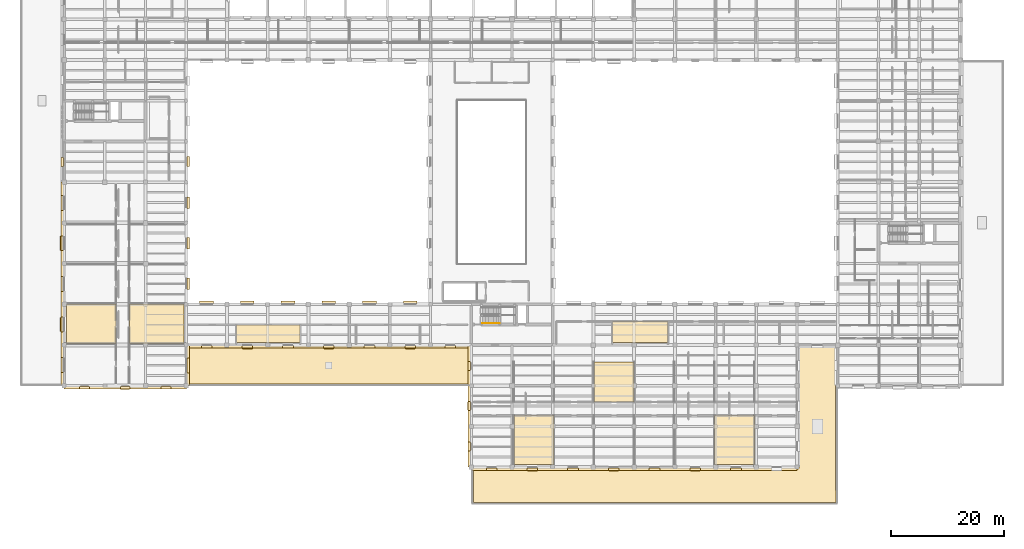
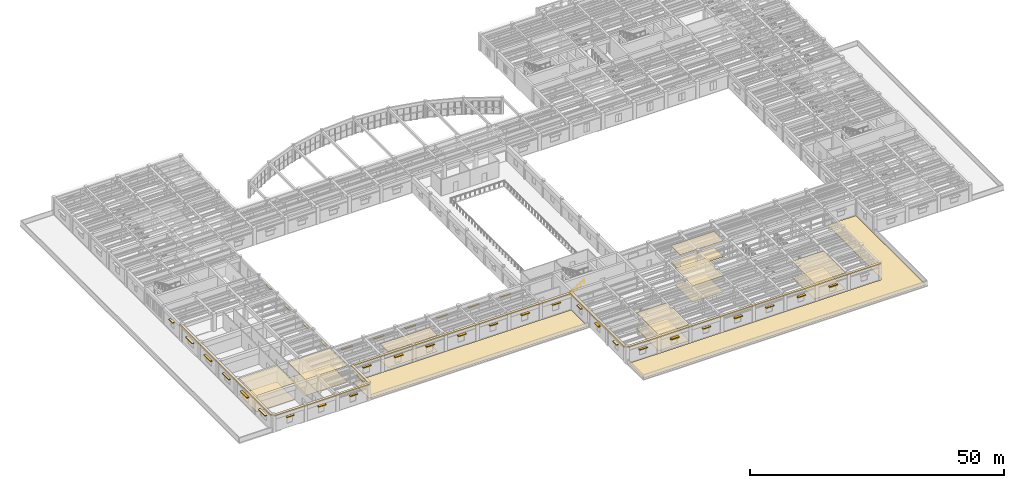
# One storey, part 66 of 76: 59 coverings, 10 shading devices, 1 railing.
"""IFC4 building model written with IfcOpenShell, lengths in metres."""

import ifcopenshell
import ifcopenshell.guid

model = None  # the IFC model being written
_history = None  # IfcOwnerHistory: only IFC2X3 demands one
_inside = {}  # id of a spatial element -> (the spatial element, [elements in it])
_under = {}  # id of a project, library or spatial element -> (it, [spatial elements below it])
_declared = {}  # id of a project -> (the project, [libraries it declares])
_typed = {}  # id of a type object -> (the type object, [elements of that type])
_made_of = {}  # id of a material, layer set ... -> (it, [elements and type objects made of it])


def new_model(schema):
    """Start an empty IFC model of exactly this schema.

    Asked for "IFC4X3", IfcOpenShell would pick the latest addendum, in which some entities
    have other attributes; the version numbers below select the first issue.
    IFC2X3 requires an IfcOwnerHistory on every rooted entity: one is made here for all.
    """
    global model, _history
    if schema == "IFC4X3":
        model = ifcopenshell.file(schema_version=(4, 3, 0, 0))
    else:
        model = ifcopenshell.file(schema=schema)
    _inside.clear()
    _under.clear()
    _declared.clear()
    _typed.clear()
    _made_of.clear()
    _history = None
    if model.schema == "IFC2X3":
        org = make("IfcOrganization", Name="unknown")
        user = make(
            "IfcPersonAndOrganization",
            ThePerson=make("IfcPerson", FamilyName="unknown"),
            TheOrganization=org,
        )
        app = make(
            "IfcApplication",
            ApplicationDeveloper=org,
            Version="unknown",
            ApplicationFullName="unknown",
            ApplicationIdentifier="unknown",
        )
        _history = make(
            "IfcOwnerHistory",
            OwningUser=user,
            OwningApplication=app,
            ChangeAction="ADDED",
            CreationDate=0,
        )
    return model


def make(cls, **values):
    """One entity of the class cls with the attributes given. An attribute that is None is left unset."""
    return model.create_entity(
        cls, **{name: value for name, value in values.items() if value is not None}
    )


def rooted(cls, **values):
    """An entity with a GlobalId (a new one), such as an element, a storey or a relation."""
    return make(cls, GlobalId=ifcopenshell.guid.new(), OwnerHistory=_history, **values)


def si_unit(unit_type, name, prefix=None):
    """IfcSIUnit, for example si_unit("LENGTHUNIT", "METRE", prefix="MILLI")."""
    return make("IfcSIUnit", UnitType=unit_type, Prefix=prefix, Name=name)


def assignment(units):
    """IfcUnitAssignment: the units of a project."""
    return None if units is None else make("IfcUnitAssignment", Units=units)


def point(xyz):
    """IfcCartesianPoint."""
    return None if xyz is None else make("IfcCartesianPoint", Coordinates=xyz)


def direction(xyz):
    """IfcDirection."""
    return None if xyz is None else make("IfcDirection", DirectionRatios=xyz)


def frame(location, z_axis=None, x_axis=None):
    """IfcAxis2Placement3D, a coordinate frame: its origin and axes. An axis left out is left unset."""
    return make(
        "IfcAxis2Placement3D",
        Location=point(location),
        Axis=direction(z_axis),
        RefDirection=direction(x_axis),
    )


def frame_2d(location, x_axis=None):
    """IfcAxis2Placement2D, a coordinate frame in the plane: its origin and x axis."""
    return make(
        "IfcAxis2Placement2D", Location=point(location), RefDirection=direction(x_axis)
    )


def origin():
    """The frame at (0, 0, 0) with its axes left unset."""
    return frame((0.0, 0.0, 0.0))


def origin_2d():
    """The frame at (0, 0) in the plane with its x axis left unset."""
    return frame_2d((0.0, 0.0))


def place(relative_to, where):
    """IfcLocalPlacement: puts the frame where relative to a parent placement (None: the world)."""
    return make(
        "IfcLocalPlacement", PlacementRelTo=relative_to, RelativePlacement=where
    )


def context(
    kind, dimensions, precision=None, world=None, true_north=None, identifier=None
):
    """IfcGeometricRepresentationContext, for example the 3D "Model" context."""
    return make(
        "IfcGeometricRepresentationContext",
        ContextIdentifier=identifier,
        ContextType=kind,
        CoordinateSpaceDimension=dimensions,
        Precision=precision,
        WorldCoordinateSystem=world,
        TrueNorth=true_north,
    )


def subcontext(parent, identifier, kind, view, scale=None):
    """IfcGeometricRepresentationSubContext, for example "Body" below "Model"."""
    return make(
        "IfcGeometricRepresentationSubContext",
        ContextIdentifier=identifier,
        ContextType=kind,
        ParentContext=parent,
        TargetScale=scale,
        TargetView=view,
    )


def project(units=None, contexts=None):
    """IfcProject with its units and contexts."""
    return rooted(
        "IfcProject",
        Name="project",
        RepresentationContexts=contexts,
        UnitsInContext=assignment(units),
    )


def spatial(cls, under=None, at=None, **own):
    """A site, building, storey or space (cls), placed at a placement, below another one or the project."""
    s = rooted(cls, ObjectPlacement=at, **own)
    if under is not None:
        _under.setdefault(under.id(), (under, []))[1].append(s)
    return s


def polyline(points):
    """IfcPolyline through the points."""
    return make("IfcPolyline", Points=[point(p) for p in points])


def profile(cls, at=None, kind="AREA", **sizes):
    """A parametric profile (cls). Its sizes go by their IFC names, for example OverallWidth=200.0."""
    return make(cls, ProfileType=kind, Position=at, **sizes)


def rectangle(**sizes):
    """IfcRectangleProfileDef."""
    return profile("IfcRectangleProfileDef", **sizes)


def circle(**sizes):
    """IfcCircleProfileDef."""
    return profile("IfcCircleProfileDef", **sizes)


def outline(outer, holes=None, kind="AREA"):
    """IfcArbitraryClosedProfileDef: a profile drawn as a closed curve; with holes, ...WithVoids."""
    if holes is None:
        return make("IfcArbitraryClosedProfileDef", ProfileType=kind, OuterCurve=outer)
    return make(
        "IfcArbitraryProfileDefWithVoids",
        ProfileType=kind,
        OuterCurve=outer,
        InnerCurves=holes,
    )


def extrude(swept, where, along, depth):
    """IfcExtrudedAreaSolid: the profile swept, set in the frame where, extruded along a direction by depth."""
    return make(
        "IfcExtrudedAreaSolid",
        SweptArea=swept,
        Position=where,
        ExtrudedDirection=direction(along),
        Depth=depth,
    )


def shape(context_of_items, identifier, shape_type, items):
    """IfcShapeRepresentation: the items that make up one representation, for example the "Body"."""
    return make(
        "IfcShapeRepresentation",
        ContextOfItems=context_of_items,
        RepresentationIdentifier=identifier,
        RepresentationType=shape_type,
        Items=items,
    )


def material(Name=None, Category=None):
    """IfcMaterial."""
    return make("IfcMaterial", Name=Name, Category=Category)


def layer(
    of_material, thickness, ventilated=None, Name=None, Category=None, Priority=None
):
    """IfcMaterialLayer: one layer of a wall or slab, of a material (None: an air gap)."""
    return make(
        "IfcMaterialLayer",
        Material=of_material,
        LayerThickness=thickness,
        IsVentilated=ventilated,
        Name=Name,
        Category=Category,
        Priority=Priority,
    )


def layer_set(layers, Name=None):
    """IfcMaterialLayerSet."""
    return make("IfcMaterialLayerSet", MaterialLayers=layers, LayerSetName=Name)


def made_of(thing, what):
    """Note that an element or type object is made of a material, layer set ...; save() writes the relation."""
    if what is not None:
        _made_of.setdefault(what.id(), (what, []))[1].append(thing)
    return thing


def type_object(cls, material=None, **own):
    """A type object (cls), such as IfcWallType, which elements share."""
    return made_of(rooted(cls, **own), material)


def element(
    cls,
    number,
    at=None,
    inside=None,
    cuts=None,
    type_object=None,
    material=None,
    context=None,
    identifier="Body",
    shape_type=None,
    held_by="IfcProductDefinitionShape",
    body=None,
    shapes=None,
    **own,
):
    """One element of the class cls, such as IfcWall. Its Tag is "e" and its number.

    at: its placement. inside: the storey or other place that contains it. cuts: it is an
    opening in that element (IfcRelVoidsElement). A single representation is given by context,
    identifier, shape_type and body (its items); several are given by shapes. held_by: the class
    of the entity that holds the representations. save() writes the other relations.
    """
    e = rooted(cls, Tag="e%d" % number, ObjectPlacement=at, **own)
    if body is not None:
        shapes = [shape(context, identifier, shape_type, body)]
    if shapes is not None:
        e.Representation = make(held_by, Representations=shapes)
    if inside is not None:
        _inside.setdefault(inside.id(), (inside, []))[1].append(e)
    if cuts is not None:
        rooted(
            "IfcRelVoidsElement", RelatingBuildingElement=cuts, RelatedOpeningElement=e
        )
    if type_object is not None:
        _typed.setdefault(type_object.id(), (type_object, []))[1].append(e)
    return made_of(e, material)


def aggregate(whole, parts):
    """IfcRelAggregates: a whole, such as a stair, and the parts it consists of."""
    return rooted("IfcRelAggregates", RelatingObject=whole, RelatedObjects=parts)


def save(model, path):
    """Write the relations noted so far, then the file.

    IfcRelAggregates (storeys below a building ...), IfcRelContainedInSpatialStructure (elements
    in a storey), IfcRelDefinesByType, IfcRelAssociatesMaterial and IfcRelDeclares: one each for
    every whole, place, type object, material and project.
    """
    for whole, parts in _under.values():
        aggregate(whole, parts)
    for where, things in _inside.values():
        rooted(
            "IfcRelContainedInSpatialStructure",
            RelatedElements=things,
            RelatingStructure=where,
        )
    for kind, things in _typed.values():
        rooted("IfcRelDefinesByType", RelatedObjects=things, RelatingType=kind)
    for what, things in _made_of.values():
        rooted("IfcRelAssociatesMaterial", RelatedObjects=things, RelatingMaterial=what)
    for by, libraries in _declared.values():
        rooted("IfcRelDeclares", RelatingContext=by, RelatedDefinitions=libraries)
    model.write(path)


model = new_model("IFC4")

# Units and contexts
model_context = context("Model", 3, precision=1e-05, world=origin(), true_north=direction((0.0, 1.0)))
body_context = subcontext(model_context, "Body", "Model", "MODEL_VIEW")
ifc_project = project(units=[si_unit("LENGTHUNIT", "METRE"), si_unit("AREAUNIT", "SQUARE_METRE"), si_unit("VOLUMEUNIT", "CUBIC_METRE"), si_unit("PLANEANGLEUNIT", "RADIAN"), si_unit("MASSUNIT", "GRAM", prefix="KILO")], contexts=[model_context])

# Site, building, storey
site_placement = place(None, origin())
site = spatial("IfcSite", under=ifc_project, at=site_placement, CompositionType="ELEMENT")
building_placement = place(site_placement, origin())
building = spatial("IfcBuilding", under=site, at=building_placement, Name="Mithqara Police Headquarters", CompositionType="ELEMENT")
storey_placement = place(building_placement, frame((0.0, 0.0, 5.39990234375)))
storey = spatial("IfcBuildingStorey", under=building, at=storey_placement, Name="L01", CompositionType="ELEMENT", Elevation=5.39990234375)

# Coverings
ifc_material_1 = material(Name="Acoustic mineral-fibre ceiling tile", Category="gypsum")
ifc_layer_1 = layer(ifc_material_1, 0.02490234375, Name="Acoustic mineral-fibre ceiling tile")
ifc_layer_set_1 = layer_set([ifc_layer_1], Name="Acoustic mineral-fibre ceiling tile")
covering_type_1 = type_object("IfcCoveringType", Name="ACOUSTIC CEILING TILE", PredefinedType="CEILING", material=ifc_layer_set_1)
covering_1_placement = place(storey_placement, frame((0.0, 0.0, 3.89501953125)))
element("IfcCovering", 1, at=covering_1_placement, inside=storey, type_object=covering_type_1, Name="Tactical De-Escalation Room Acoustic Ceiling", PredefinedType="CEILING", context=body_context, shape_type="SweptSolid", body=[
    extrude(outline(polyline([(8.239990234375, 28.471923828125), (16.9599609375, 28.471923828125), (16.9599609375, 35.464111328125), (8.239990234375, 35.464111328125), (8.239990234375, 28.471923828125)])), origin(), (0.0, 0.0, 1.0), 0.025146484375),
])
covering_2_placement = place(storey_placement, frame((0.0, 0.0, 3.89501953125)))
element("IfcCovering", 2, at=covering_2_placement, inside=storey, type_object=covering_type_1, Name="Officer Duty Rest Room Acoustic Ceiling", PredefinedType="CEILING", context=body_context, shape_type="SweptSolid", body=[
    extrude(outline(polyline([(19.340087890625, 28.471923828125), (28.9599609375, 28.471923828125), (28.9599609375, 35.464111328125), (19.340087890625, 35.464111328125), (19.340087890625, 28.471923828125)])), origin(), (0.0, 0.0, 1.0), 0.025146484375),
])
covering_3_placement = place(storey_placement, frame((0.0, 0.0, 3.89501953125)))
element("IfcCovering", 3, at=covering_3_placement, inside=storey, type_object=covering_type_1, Name="Family Protection Suite Acoustic Ceiling", PredefinedType="CEILING", context=body_context, shape_type="SweptSolid", body=[
    extrude(outline(polyline([(104.736083984375, 28.639892578125), (114.56201171875, 28.639892578125), (114.56201171875, 32.340087890625), (104.736083984375, 32.340087890625), (104.736083984375, 28.639892578125)])), origin(), (0.0, 0.0, 1.0), 0.025146484375),
])
covering_4_placement = place(storey_placement, frame((0.0, 0.0, 3.89501953125)))
element("IfcCovering", 4, at=covering_4_placement, inside=storey, type_object=covering_type_1, Name="Family Protection Suite Acoustic Ceiling", PredefinedType="CEILING", context=body_context, shape_type="SweptSolid", body=[
    extrude(outline(polyline([(38.256103515625, 28.639892578125), (49.531982421875, 28.639892578125), (49.531982421875, 31.760009765625), (38.256103515625, 31.760009765625), (38.256103515625, 28.639892578125)])), origin(), (0.0, 0.0, 1.0), 0.025146484375),
])
covering_5_placement = place(storey_placement, frame((0.0, 0.0, 3.89501953125)))
element("IfcCovering", 5, at=covering_5_placement, inside=storey, type_object=covering_type_1, Name="Custody Cell Block Male Acoustic Ceiling", PredefinedType="CEILING", context=body_context, shape_type="SweptSolid", body=[
    extrude(outline(polyline([(87.3349609375, 7.0400390625), (94.389892578125, 7.0400390625), (94.389892578125, 15.77001953125), (87.3349609375, 15.77001953125), (87.3349609375, 7.0400390625)])), origin(), (0.0, 0.0, 1.0), 0.025146484375),
])
covering_6_placement = place(storey_placement, frame((0.0, 0.0, 3.89501953125)))
element("IfcCovering", 6, at=covering_6_placement, inside=storey, type_object=covering_type_1, Name="Custody Cell Block Male Acoustic Ceiling", PredefinedType="CEILING", context=body_context, shape_type="SweptSolid", body=[
    extrude(outline(polyline([(122.81005859375, 7.0400390625), (129.864990234375, 7.0400390625), (129.864990234375, 15.77001953125), (122.81005859375, 15.77001953125), (122.81005859375, 7.0400390625)])), origin(), (0.0, 0.0, 1.0), 0.025146484375),
])
covering_7_placement = place(storey_placement, frame((0.0, 0.0, 3.89501953125)))
element("IfcCovering", 7, at=covering_7_placement, inside=storey, type_object=covering_type_1, Name="Custody Cell Block Male Acoustic Ceiling", PredefinedType="CEILING", context=body_context, shape_type="SweptSolid", body=[
    extrude(outline(polyline([(101.52490234375, 18.14990234375), (108.580078125, 18.14990234375), (108.580078125, 25.179931640625), (101.52490234375, 25.179931640625), (101.52490234375, 18.14990234375)])), origin(), (0.0, 0.0, 1.0), 0.025146484375),
])
ifc_material_2 = material(Name="Limestone ashlar masonry, 45 MPa", Category="masonry")
ifc_layer_2 = layer(ifc_material_2, 0.320068359375, Name="Limestone ashlar masonry, 45 MPa")
ifc_layer_set_2 = layer_set([ifc_layer_2], Name="Limestone ashlar masonry, 45 MPa")
covering_type_2 = type_object("IfcCoveringType", Name="CORNICE LIMESTONE", PredefinedType="CLADDING", material=ifc_layer_set_2)
covering_8_placement = place(storey_placement, frame((79.52001953125, 17.39990234375, 3.919921875), z_axis=(0.0, 0.0, 1.0), x_axis=(0.0, 1.0, 0.0)))
element("IfcCovering", 8, at=covering_8_placement, inside=storey, type_object=covering_type_2, Name="L01 Projecting Ottoman Limestone Eaves Cornice 1", PredefinedType="CLADDING", context=body_context, shape_type="SweptSolid", body=[
    extrude(rectangle(XDim=21.60009765625, YDim=0.56005859375, at=origin_2d()), origin(), (0.0, 0.0, 1.0), 0.280029296875),
])
covering_9_placement = place(storey_placement, frame((108.60009765625, 6.320068359375, 3.919921875), z_axis=(0.0, 0.0, 1.0), x_axis=(1.0, 0.0, 0.0)))
element("IfcCovering", 9, at=covering_9_placement, inside=storey, type_object=covering_type_2, Name="L01 Projecting Ottoman Limestone Eaves Cornice 2", PredefinedType="CLADDING", context=body_context, shape_type="SweptSolid", body=[
    extrude(rectangle(XDim=57.60009765625, YDim=0.56005859375, at=origin_2d()), origin(), (0.0, 0.0, 1.0), 0.280029296875),
])
covering_10_placement = place(storey_placement, frame((7.52001953125, 39.0, 3.919921875), z_axis=(0.0, 0.0, 1.0), x_axis=(0.0, 1.0, 0.0)))
element("IfcCovering", 10, at=covering_10_placement, inside=storey, type_object=covering_type_2, Name="L01 Projecting Ottoman Limestone Eaves Cornice 18", PredefinedType="CLADDING", context=body_context, shape_type="SweptSolid", body=[
    extrude(rectangle(XDim=36.0, YDim=0.56005859375, at=origin_2d()), origin(), (0.0, 0.0, 1.0), 0.280029296875),
])
covering_11_placement = place(storey_placement, frame((18.60009765625, 20.719970703125, 3.919921875), z_axis=(0.0, 0.0, 1.0), x_axis=(1.0, 0.0, 0.0)))
element("IfcCovering", 11, at=covering_11_placement, inside=storey, type_object=covering_type_2, Name="L01 Projecting Ottoman Limestone Eaves Cornice 19", PredefinedType="CLADDING", context=body_context, shape_type="SweptSolid", body=[
    extrude(rectangle(XDim=21.60009765625, YDim=0.56005859375, at=origin_2d()), origin(), (0.0, 0.0, 1.0), 0.280029296875),
])
covering_12_placement = place(storey_placement, frame((29.679931640625, 24.60009765625, 3.919921875), z_axis=(0.0, 0.0, 1.0), x_axis=(0.0, 1.0, 0.0)))
element("IfcCovering", 12, at=covering_12_placement, inside=storey, type_object=covering_type_2, Name="L01 Projecting Ottoman Limestone Eaves Cornice 20", PredefinedType="CLADDING", context=body_context, shape_type="SweptSolid", body=[
    extrude(rectangle(XDim=7.199951171875, YDim=0.56005859375, at=origin_2d()), origin(), (0.0, 0.0, 1.0), 0.280029296875),
])
covering_13_placement = place(storey_placement, frame((54.60009765625, 27.919921875, 3.919921875), z_axis=(0.0, 0.0, 1.0), x_axis=(1.0, 0.0, 0.0)))
element("IfcCovering", 13, at=covering_13_placement, inside=storey, type_object=covering_type_2, Name="L01 Projecting Ottoman Limestone Eaves Cornice 21", PredefinedType="CLADDING", context=body_context, shape_type="SweptSolid", body=[
    extrude(rectangle(XDim=50.39990234375, YDim=0.56005859375, at=origin_2d()), origin(), (0.0, 0.0, 1.0), 0.280029296875),
])

# Railing
ifc_material_3 = material(Name="Steel S355JR", Category="steel")
railing_type = type_object("IfcRailingType", Name="HANDRAIL 920", PredefinedType="HANDRAIL", material=ifc_material_3)
railing_placement = place(storey_placement, frame((81.75, 32.050048828125, 0.175048828125)))
element("IfcRailing", 14, at=railing_placement, inside=storey, type_object=railing_type, Name="L01 ST-07 stair handrail 1", PredefinedType="HANDRAIL", context=body_context, shape_type="SweptSolid", body=[
    extrude(circle(Radius=0.02392578125, at=origin_2d()), frame((0.0, 0.0, 0.8759765625), z_axis=(0.847998304005, 0.0, 0.529998940003), x_axis=(0.0, 1.0, 0.0)), (0.0, 0.0, 1.0), 3.632080078125),
    extrude(circle(Radius=0.02099609375, at=origin_2d()), origin(), (0.0, 0.0, 1.0), 0.851806640625),
    extrude(circle(Radius=0.02099609375, at=origin_2d()), frame((0.77001953125, 0.0, 0.481201171875)), (0.0, 0.0, 1.0), 0.851806640625),
    extrude(circle(Radius=0.02099609375, at=origin_2d()), frame((1.5400390625, 0.0, 0.96240234375)), (0.0, 0.0, 1.0), 0.851806640625),
    extrude(circle(Radius=0.02099609375, at=origin_2d()), frame((2.31005859375, 0.0, 1.44384765625)), (0.0, 0.0, 1.0), 0.851806640625),
    extrude(circle(Radius=0.02099609375, at=origin_2d()), frame((3.080078125, 0.0, 1.925048828125)), (0.0, 0.0, 1.0), 0.851806640625),
])

# Shading devices
ifc_material_4 = material(Name="Bronze anodised aluminium 6063-T6", Category="aluminium")
shading_device_type = type_object("IfcShadingDeviceType", Name="SOLAR LOUVRE BRONZE", PredefinedType="JALOUSIE", material=ifc_material_4)
shading_device_1_placement = place(storey_placement, frame((79.39990234375, 17.39990234375, 2.840087890625), z_axis=(0.0, 0.0, 1.0), x_axis=(0.0, 1.0, 0.0)))
element("IfcShadingDevice", 15, at=shading_device_1_placement, inside=storey, type_object=shading_device_type, Name="L01 Window Solar Louvre Hood 1.2", PredefinedType="JALOUSIE", context=body_context, shape_type="SweptSolid", body=[
    extrude(rectangle(XDim=1.449951171875, YDim=0.60009765625, at=origin_2d()), origin(), (0.0, 0.0, 1.0), 0.10009765625),
])
for number, where, z_axis, x_axis, name in (
    (16, (90.60009765625, 6.199951171875, 2.590087890625), (0.0, 0.0, 1.0), (1.0, 0.0, 0.0), "L01 Window Solar Louvre Hood 2.2"),
    (17, (105.0, 6.199951171875, 2.590087890625), (0.0, 0.0, 1.0), (1.0, 0.0, 0.0), "L01 Window Solar Louvre Hood 2.4"),
    (18, (119.39990234375, 6.199951171875, 2.590087890625), (0.0, 0.0, 1.0), (1.0, 0.0, 0.0), "L01 Window Solar Louvre Hood 2.6"),
):
    element("IfcShadingDevice", number, at=place(storey_placement, frame(where, z_axis=z_axis, x_axis=x_axis)), inside=storey, type_object=shading_device_type, Name=name, PredefinedType="JALOUSIE", context=body_context, shape_type="SweptSolid", body=[
        extrude(rectangle(XDim=1.75, YDim=0.60009765625, at=origin_2d()), origin(), (0.0, 0.0, 1.0), 0.10009765625),
    ])
for number, where, z_axis, x_axis, name in (
    (19, (7.39990234375, 31.800048828125, 2.590087890625), (0.0, 0.0, 1.0), (0.0, 1.0, 0.0), "L01 Window Solar Louvre Hood 18.2"),
    (20, (7.39990234375, 46.199951171875, 2.590087890625), (0.0, 0.0, 1.0), (0.0, 1.0, 0.0), "L01 Window Solar Louvre Hood 18.4"),
):
    element("IfcShadingDevice", number, at=place(storey_placement, frame(where, z_axis=z_axis, x_axis=x_axis)), inside=storey, type_object=shading_device_type, Name=name, PredefinedType="JALOUSIE", context=body_context, shape_type="SweptSolid", body=[
        extrude(rectangle(XDim=2.5, YDim=0.60009765625, at=origin_2d()), origin(), (0.0, 0.0, 1.0), 0.10009765625),
    ])
shading_device_2_placement = place(storey_placement, frame((18.60009765625, 20.60009765625, 2.81005859375), z_axis=(0.0, 0.0, 1.0), x_axis=(1.0, 0.0, 0.0)))
element("IfcShadingDevice", 21, at=shading_device_2_placement, inside=storey, type_object=shading_device_type, Name="L01 Window Solar Louvre Hood 19.2", PredefinedType="JALOUSIE", context=body_context, shape_type="SweptSolid", body=[
    extrude(rectangle(XDim=1.60009765625, YDim=0.60009765625, at=origin_2d()), origin(), (0.0, 0.0, 1.0), 0.10009765625),
])
for number, where, z_axis, x_axis, name in (
    (22, (40.199951171875, 27.800048828125, 2.81005859375), (0.0, 0.0, 1.0), (1.0, 0.0, 0.0), "L01 Window Solar Louvre Hood 21.2"),
    (23, (54.60009765625, 27.800048828125, 2.81005859375), (0.0, 0.0, 1.0), (1.0, 0.0, 0.0), "L01 Window Solar Louvre Hood 21.4"),
    (24, (69.0, 27.800048828125, 2.81005859375), (0.0, 0.0, 1.0), (1.0, 0.0, 0.0), "L01 Window Solar Louvre Hood 21.6"),
):
    element("IfcShadingDevice", number, at=place(storey_placement, frame(where, z_axis=z_axis, x_axis=x_axis)), inside=storey, type_object=shading_device_type, Name=name, PredefinedType="JALOUSIE", context=body_context, shape_type="SweptSolid", body=[
        extrude(rectangle(XDim=1.75, YDim=0.60009765625, at=origin_2d()), origin(), (0.0, 0.0, 1.0), 0.10009765625),
    ])

# Coverings
ifc_material_5 = material(Name="Standing seam zinc-aluminium roofing", Category="aluminium")
ifc_layer_3 = layer(ifc_material_5, 0.0400390625, Name="Standing seam zinc-aluminium roofing")
ifc_layer_set_3 = layer_set([ifc_layer_3], Name="Standing seam zinc-aluminium roofing")
covering_type_3 = type_object("IfcCoveringType", Name="STANDING SEAM ROOFING", PredefinedType="ROOFING", material=ifc_layer_set_3)
covering_14_placement = place(storey_placement, origin())
element("IfcCovering", 25, at=covering_14_placement, inside=storey, type_object=covering_type_3, Name="L01 Insulated Roof Waterproofing ROOF-L00-00", PredefinedType="ROOFING", context=body_context, shape_type="SweptSolid", body=[
    extrude(outline(polyline([(29.77001953125, 21.35009765625), (29.77001953125, 27.830078125), (79.429931640625, 27.830078125), (79.429931640625, 21.35009765625), (29.77001953125, 21.35009765625)])), origin(), (0.0, 0.0, 1.0), 0.0400390625),
])
covering_15_placement = place(storey_placement, origin())
element("IfcCovering", 26, at=covering_15_placement, inside=storey, type_object=covering_type_3, Name="L01 Insulated Roof Waterproofing ROOF-L00-03", PredefinedType="ROOFING", context=body_context, shape_type="SweptSolid", body=[
    extrude(outline(polyline([(81.671875, 6.237548828125), (85.681640625, 6.249755859375), (85.68701171875, 6.247802734375), (85.688720703125, 6.2470703125), (85.705078125, 6.242431640625), (85.70703125, 6.241943359375), (85.741455078125, 6.234619140625), (85.743408203125, 6.234375), (85.780517578125, 6.23046875), (85.782470703125, 6.23046875), (85.800048828125, 6.22998046875), (137.39990234375, 6.22998046875), (137.41748046875, 6.23046875), (137.41943359375, 6.23046875), (137.45654296875, 6.234375), (137.45849609375, 6.234619140625), (137.492919921875, 6.241943359375), (137.494873046875, 6.242431640625), (137.51123046875, 6.2470703125), (137.51318359375, 6.247802734375), (137.542724609375, 6.258544921875), (137.571533203125, 6.272216796875), (137.5732421875, 6.273193359375), (137.5869140625, 6.28076171875), (137.588623046875, 6.28173828125), (137.609375, 6.294921875), (137.611083984375, 6.296142578125), (137.636474609375, 6.3154296875), (137.66015625, 6.3369140625), (137.6630859375, 6.33984375), (137.6845703125, 6.363525390625), (137.703857421875, 6.388916015625), (137.705078125, 6.390625), (137.71826171875, 6.411376953125), (137.71923828125, 6.4130859375), (137.726806640625, 6.4267578125), (137.727783203125, 6.428466796875), (137.741455078125, 6.457275390625), (137.752197265625, 6.48681640625), (137.7529296875, 6.48876953125), (137.757568359375, 6.505126953125), (137.758056640625, 6.507080078125), (137.765380859375, 6.54150390625), (137.765625, 6.54345703125), (137.76953125, 6.58056640625), (137.76953125, 6.58251953125), (137.77001953125, 6.60009765625), (137.77001953125, 27.830078125), (144.22998046875, 27.830078125), (144.22998046875, 21.0), (144.23046875, 20.982421875), (144.23046875, 20.98046875), (144.234375, 20.943359375), (144.234619140625, 20.94140625), (144.2373046875, 20.928955078125), (144.249755859375, 0.35009765625), (80.14990234375, 0.35009765625), (80.14990234375, 6.22998046875), (81.60009765625, 6.22998046875), (81.617431640625, 6.23046875), (81.619384765625, 6.23046875), (81.656494140625, 6.234375), (81.658447265625, 6.234619140625), (81.671875, 6.237548828125)])), origin(), (0.0, 0.0, 1.0), 0.0400390625),
])
ifc_material_6 = material(Name="Polished limestone terrazzo flooring", Category="masonry")
ifc_layer_4 = layer(ifc_material_6, 0.02001953125, Name="Polished limestone terrazzo flooring")
ifc_layer_set_4 = layer_set([ifc_layer_4], Name="Polished limestone terrazzo flooring")
covering_type_4 = type_object("IfcCoveringType", Name="TERRAZZO FLOOR FINISH", PredefinedType="FLOORING", material=ifc_layer_set_4)
covering_16_placement = place(storey_placement, origin())
element("IfcCovering", 27, at=covering_16_placement, inside=storey, type_object=covering_type_4, Name="Tactical De-Escalation Room Terrazzo Floor Finish", PredefinedType="FLOORING", context=body_context, shape_type="SweptSolid", body=[
    extrude(outline(polyline([(8.239990234375, 28.471923828125), (16.9599609375, 28.471923828125), (16.9599609375, 35.464111328125), (8.239990234375, 35.464111328125), (8.239990234375, 28.471923828125)])), origin(), (0.0, 0.0, 1.0), 0.02001953125),
])
covering_17_placement = place(storey_placement, origin())
element("IfcCovering", 28, at=covering_17_placement, inside=storey, type_object=covering_type_4, Name="Officer Duty Rest Room Terrazzo Floor Finish", PredefinedType="FLOORING", context=body_context, shape_type="SweptSolid", body=[
    extrude(outline(polyline([(19.340087890625, 28.471923828125), (28.9599609375, 28.471923828125), (28.9599609375, 35.464111328125), (19.340087890625, 35.464111328125), (19.340087890625, 28.471923828125)])), origin(), (0.0, 0.0, 1.0), 0.02001953125),
])
covering_18_placement = place(storey_placement, origin())
element("IfcCovering", 29, at=covering_18_placement, inside=storey, type_object=covering_type_4, Name="Family Protection Suite Terrazzo Floor Finish", PredefinedType="FLOORING", context=body_context, shape_type="SweptSolid", body=[
    extrude(outline(polyline([(104.736083984375, 28.639892578125), (114.56201171875, 28.639892578125), (114.56201171875, 32.340087890625), (104.736083984375, 32.340087890625), (104.736083984375, 28.639892578125)])), origin(), (0.0, 0.0, 1.0), 0.02001953125),
])
covering_19_placement = place(storey_placement, origin())
element("IfcCovering", 30, at=covering_19_placement, inside=storey, type_object=covering_type_4, Name="Family Protection Suite Terrazzo Floor Finish", PredefinedType="FLOORING", context=body_context, shape_type="SweptSolid", body=[
    extrude(outline(polyline([(38.256103515625, 28.639892578125), (49.531982421875, 28.639892578125), (49.531982421875, 31.760009765625), (38.256103515625, 31.760009765625), (38.256103515625, 28.639892578125)])), origin(), (0.0, 0.0, 1.0), 0.02001953125),
])
covering_20_placement = place(storey_placement, origin())
element("IfcCovering", 31, at=covering_20_placement, inside=storey, type_object=covering_type_4, Name="Custody Cell Block Male Terrazzo Floor Finish", PredefinedType="FLOORING", context=body_context, shape_type="SweptSolid", body=[
    extrude(outline(polyline([(87.3349609375, 7.0400390625), (94.389892578125, 7.0400390625), (94.389892578125, 15.77001953125), (87.3349609375, 15.77001953125), (87.3349609375, 7.0400390625)])), origin(), (0.0, 0.0, 1.0), 0.02001953125),
])
covering_21_placement = place(storey_placement, origin())
element("IfcCovering", 32, at=covering_21_placement, inside=storey, type_object=covering_type_4, Name="Custody Cell Block Male Terrazzo Floor Finish", PredefinedType="FLOORING", context=body_context, shape_type="SweptSolid", body=[
    extrude(outline(polyline([(122.81005859375, 7.0400390625), (129.864990234375, 7.0400390625), (129.864990234375, 15.77001953125), (122.81005859375, 15.77001953125), (122.81005859375, 7.0400390625)])), origin(), (0.0, 0.0, 1.0), 0.02001953125),
])
covering_22_placement = place(storey_placement, origin())
element("IfcCovering", 33, at=covering_22_placement, inside=storey, type_object=covering_type_4, Name="Custody Cell Block Male Terrazzo Floor Finish", PredefinedType="FLOORING", context=body_context, shape_type="SweptSolid", body=[
    extrude(outline(polyline([(101.52490234375, 18.14990234375), (108.580078125, 18.14990234375), (108.580078125, 25.179931640625), (101.52490234375, 25.179931640625), (101.52490234375, 18.14990234375)])), origin(), (0.0, 0.0, 1.0), 0.02001953125),
])
ifc_layer_5 = layer(ifc_material_2, 0.239990234375, Name="Limestone ashlar masonry, 45 MPa")
ifc_layer_set_5 = layer_set([ifc_layer_5], Name="Limestone ashlar masonry, 45 MPa")
covering_type_5 = type_object("IfcCoveringType", Name="WINDOW HOOD LIMESTONE", PredefinedType="CLADDING", material=ifc_layer_set_5)
for number, where, z_axis, x_axis, name in (
    (34, (79.4599609375, 10.27490234375, 2.6201171875), (0.0, 0.0, 1.0), (0.0, 1.0, 0.0), "L01 Limestone Window Architrave Hood 1.1"),
    (35, (79.4599609375, 17.39990234375, 2.6201171875), (0.0, 0.0, 1.0), (0.0, 1.0, 0.0), "L01 Limestone Window Architrave Hood 1.2"),
    (36, (79.4599609375, 24.47509765625, 2.6201171875), (0.0, 0.0, 1.0), (0.0, 1.0, 0.0), "L01 Limestone Window Architrave Hood 1.3"),
):
    element("IfcCovering", number, at=place(storey_placement, frame(where, z_axis=z_axis, x_axis=x_axis)), inside=storey, type_object=covering_type_5, Name=name, PredefinedType="CLADDING", context=body_context, shape_type="SweptSolid", body=[
        extrude(rectangle(XDim=1.590087890625, YDim=0.4599609375, at=origin_2d()), origin(), (0.0, 0.0, 1.0), 0.219970703125),
    ])
for number, where, z_axis, x_axis, name in (
    (37, (83.39990234375, 6.260009765625, 2.3701171875), (0.0, 0.0, 1.0), (1.0, 0.0, 0.0), "L01 Limestone Window Architrave Hood 2.1"),
    (38, (90.60009765625, 6.260009765625, 2.3701171875), (0.0, 0.0, 1.0), (1.0, 0.0, 0.0), "L01 Limestone Window Architrave Hood 2.2"),
    (39, (97.800048828125, 6.260009765625, 2.3701171875), (0.0, 0.0, 1.0), (1.0, 0.0, 0.0), "L01 Limestone Window Architrave Hood 2.3"),
    (40, (105.0, 6.260009765625, 2.3701171875), (0.0, 0.0, 1.0), (1.0, 0.0, 0.0), "L01 Limestone Window Architrave Hood 2.4"),
    (41, (112.199951171875, 6.260009765625, 2.3701171875), (0.0, 0.0, 1.0), (1.0, 0.0, 0.0), "L01 Limestone Window Architrave Hood 2.5"),
    (42, (119.39990234375, 6.260009765625, 2.3701171875), (0.0, 0.0, 1.0), (1.0, 0.0, 0.0), "L01 Limestone Window Architrave Hood 2.6"),
    (43, (126.60009765625, 6.260009765625, 2.3701171875), (0.0, 0.0, 1.0), (1.0, 0.0, 0.0), "L01 Limestone Window Architrave Hood 2.7"),
):
    element("IfcCovering", number, at=place(storey_placement, frame(where, z_axis=z_axis, x_axis=x_axis)), inside=storey, type_object=covering_type_5, Name=name, PredefinedType="CLADDING", context=body_context, shape_type="SweptSolid", body=[
        extrude(rectangle(XDim=1.889892578125, YDim=0.4599609375, at=origin_2d()), origin(), (0.0, 0.0, 1.0), 0.219970703125),
    ])
covering_23_placement = place(storey_placement, frame((7.4599609375, 60.550048828125, 2.6201171875), z_axis=(0.0, 0.0, 1.0), x_axis=(0.0, 1.0, 0.0)))
element("IfcCovering", 44, at=covering_23_placement, inside=storey, type_object=covering_type_5, Name="L01 Limestone Window Architrave Hood 17.1", PredefinedType="CLADDING", context=body_context, shape_type="SweptSolid", body=[
    extrude(rectangle(XDim=1.590087890625, YDim=0.4599609375, at=origin_2d()), origin(), (0.0, 0.0, 1.0), 0.219970703125),
])
for number, where, z_axis, x_axis, name in (
    (45, (7.4599609375, 24.675048828125, 2.3701171875), (0.0, 0.0, 1.0), (0.0, 1.0, 0.0), "L01 Limestone Window Architrave Hood 18.1"),
    (46, (7.4599609375, 31.800048828125, 2.3701171875), (0.0, 0.0, 1.0), (0.0, 1.0, 0.0), "L01 Limestone Window Architrave Hood 18.2"),
    (47, (7.4599609375, 39.0, 2.3701171875), (0.0, 0.0, 1.0), (0.0, 1.0, 0.0), "L01 Limestone Window Architrave Hood 18.3"),
    (48, (7.4599609375, 46.199951171875, 2.3701171875), (0.0, 0.0, 1.0), (0.0, 1.0, 0.0), "L01 Limestone Window Architrave Hood 18.4"),
    (49, (7.4599609375, 53.324951171875, 2.3701171875), (0.0, 0.0, 1.0), (0.0, 1.0, 0.0), "L01 Limestone Window Architrave Hood 18.5"),
):
    element("IfcCovering", number, at=place(storey_placement, frame(where, z_axis=z_axis, x_axis=x_axis)), inside=storey, type_object=covering_type_5, Name=name, PredefinedType="CLADDING", context=body_context, shape_type="SweptSolid", body=[
        extrude(rectangle(XDim=2.639892578125, YDim=0.4599609375, at=origin_2d()), origin(), (0.0, 0.0, 1.0), 0.219970703125),
    ])
for number, where, z_axis, x_axis, name in (
    (50, (11.39990234375, 20.659912109375, 2.6201171875), (0.0, 0.0, 1.0), (1.0, 0.0, 0.0), "L01 Limestone Window Architrave Hood 19.1"),
    (51, (18.60009765625, 20.659912109375, 2.6201171875), (0.0, 0.0, 1.0), (1.0, 0.0, 0.0), "L01 Limestone Window Architrave Hood 19.2"),
    (52, (25.800048828125, 20.659912109375, 2.6201171875), (0.0, 0.0, 1.0), (1.0, 0.0, 0.0), "L01 Limestone Window Architrave Hood 19.3"),
):
    element("IfcCovering", number, at=place(storey_placement, frame(where, z_axis=z_axis, x_axis=x_axis)), inside=storey, type_object=covering_type_5, Name=name, PredefinedType="CLADDING", context=body_context, shape_type="SweptSolid", body=[
        extrude(rectangle(XDim=1.739990234375, YDim=0.4599609375, at=origin_2d()), origin(), (0.0, 0.0, 1.0), 0.219970703125),
    ])
covering_24_placement = place(storey_placement, frame((29.739990234375, 24.60009765625, 2.8701171875), z_axis=(0.0, 0.0, 1.0), x_axis=(0.0, 1.0, 0.0)))
element("IfcCovering", 53, at=covering_24_placement, inside=storey, type_object=covering_type_5, Name="L01 Limestone Window Architrave Hood 20.1", PredefinedType="CLADDING", context=body_context, shape_type="SweptSolid", body=[
    extrude(rectangle(XDim=2.639892578125, YDim=0.4599609375, at=origin_2d()), origin(), (0.0, 0.0, 1.0), 0.219970703125),
])
for number, where, z_axis, x_axis, name in (
    (54, (33.0, 27.860107421875, 2.6201171875), (0.0, 0.0, 1.0), (1.0, 0.0, 0.0), "L01 Limestone Window Architrave Hood 21.1"),
    (55, (40.199951171875, 27.860107421875, 2.6201171875), (0.0, 0.0, 1.0), (1.0, 0.0, 0.0), "L01 Limestone Window Architrave Hood 21.2"),
    (56, (47.39990234375, 27.860107421875, 2.6201171875), (0.0, 0.0, 1.0), (1.0, 0.0, 0.0), "L01 Limestone Window Architrave Hood 21.3"),
    (57, (54.60009765625, 27.860107421875, 2.6201171875), (0.0, 0.0, 1.0), (1.0, 0.0, 0.0), "L01 Limestone Window Architrave Hood 21.4"),
    (58, (61.800048828125, 27.860107421875, 2.6201171875), (0.0, 0.0, 1.0), (1.0, 0.0, 0.0), "L01 Limestone Window Architrave Hood 21.5"),
    (59, (69.0, 27.860107421875, 2.6201171875), (0.0, 0.0, 1.0), (1.0, 0.0, 0.0), "L01 Limestone Window Architrave Hood 21.6"),
    (60, (76.074951171875, 27.860107421875, 2.6201171875), (0.0, 0.0, 1.0), (1.0, 0.0, 0.0), "L01 Limestone Window Architrave Hood 21.7"),
):
    element("IfcCovering", number, at=place(storey_placement, frame(where, z_axis=z_axis, x_axis=x_axis)), inside=storey, type_object=covering_type_5, Name=name, PredefinedType="CLADDING", context=body_context, shape_type="SweptSolid", body=[
        extrude(rectangle(XDim=1.889892578125, YDim=0.4599609375, at=origin_2d()), origin(), (0.0, 0.0, 1.0), 0.219970703125),
    ])
for number, where, z_axis, x_axis, name in (
    (61, (29.739990234375, 39.074951171875, 2.3701171875), (0.0, 0.0, 1.0), (0.0, 1.0, 0.0), "L01 Limestone Window Architrave Hood 1.1"),
    (62, (29.739990234375, 46.199951171875, 2.3701171875), (0.0, 0.0, 1.0), (0.0, 1.0, 0.0), "L01 Limestone Window Architrave Hood 1.2"),
    (63, (29.739990234375, 53.324951171875, 2.3701171875), (0.0, 0.0, 1.0), (0.0, 1.0, 0.0), "L01 Limestone Window Architrave Hood 1.3"),
):
    element("IfcCovering", number, at=place(storey_placement, frame(where, z_axis=z_axis, x_axis=x_axis)), inside=storey, type_object=covering_type_5, Name=name, PredefinedType="CLADDING", context=body_context, shape_type="SweptSolid", body=[
        extrude(rectangle(XDim=2.0400390625, YDim=0.4599609375, at=origin_2d()), origin(), (0.0, 0.0, 1.0), 0.219970703125),
    ])
covering_25_placement = place(storey_placement, frame((29.739990234375, 60.675048828125, 2.8701171875), z_axis=(0.0, 0.0, 1.0), x_axis=(0.0, 1.0, 0.0)))
element("IfcCovering", 64, at=covering_25_placement, inside=storey, type_object=covering_type_5, Name="L01 Limestone Window Architrave Hood 2.1", PredefinedType="CLADDING", context=body_context, shape_type="SweptSolid", body=[
    extrude(rectangle(XDim=1.739990234375, YDim=0.4599609375, at=origin_2d()), origin(), (0.0, 0.0, 1.0), 0.219970703125),
])
for number, where, z_axis, x_axis, name in (
    (65, (33.0, 35.739990234375, 2.3701171875), (0.0, 0.0, 1.0), (1.0, 0.0, 0.0), "L01 Limestone Window Architrave Hood 5.1"),
    (66, (40.199951171875, 35.739990234375, 2.3701171875), (0.0, 0.0, 1.0), (1.0, 0.0, 0.0), "L01 Limestone Window Architrave Hood 5.2"),
    (67, (47.39990234375, 35.739990234375, 2.3701171875), (0.0, 0.0, 1.0), (1.0, 0.0, 0.0), "L01 Limestone Window Architrave Hood 5.3"),
    (68, (54.60009765625, 35.739990234375, 2.3701171875), (0.0, 0.0, 1.0), (1.0, 0.0, 0.0), "L01 Limestone Window Architrave Hood 5.4"),
    (69, (61.800048828125, 35.739990234375, 2.3701171875), (0.0, 0.0, 1.0), (1.0, 0.0, 0.0), "L01 Limestone Window Architrave Hood 5.5"),
    (70, (69.0, 35.739990234375, 2.3701171875), (0.0, 0.0, 1.0), (1.0, 0.0, 0.0), "L01 Limestone Window Architrave Hood 5.6"),
):
    element("IfcCovering", number, at=place(storey_placement, frame(where, z_axis=z_axis, x_axis=x_axis)), inside=storey, type_object=covering_type_5, Name=name, PredefinedType="CLADDING", context=body_context, shape_type="SweptSolid", body=[
        extrude(rectangle(XDim=2.43994140625, YDim=0.4599609375, at=origin_2d()), origin(), (0.0, 0.0, 1.0), 0.219970703125),
    ])

save(model, "model.ifc")
